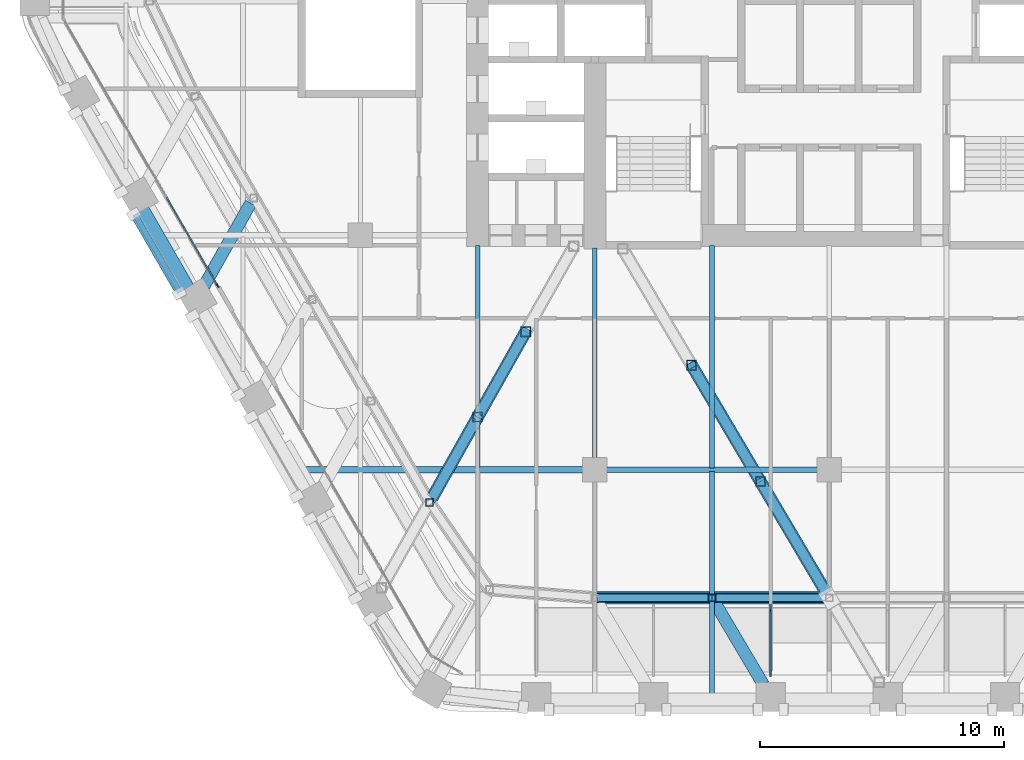
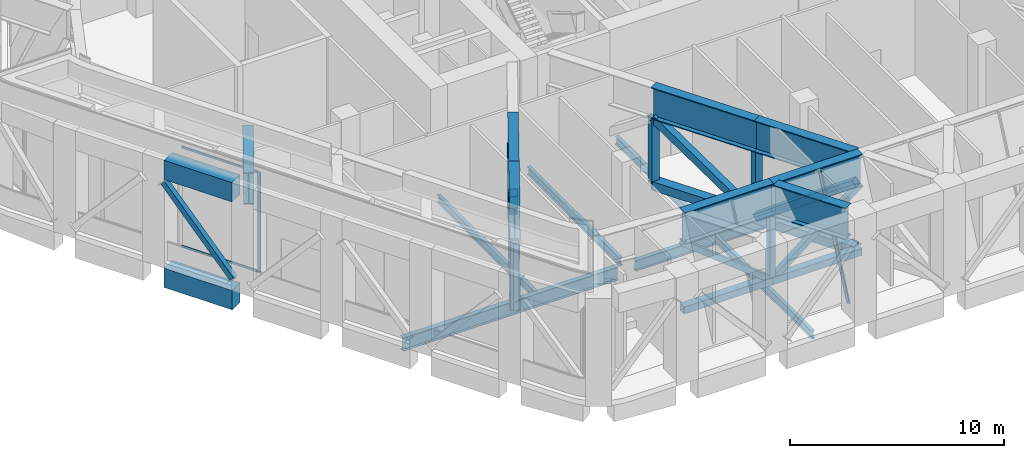
# One storey, part 3 of 27: 23 members, 16 beams, 2 elements without a shape of their own.
"""IFC4 building model written with IfcOpenShell, lengths in metres."""

from ifc_helpers import new_model, si_unit, direction, frame, origin, origin_2d, place, context, subcontext, project, spatial, rectangle, hollow_rectangle, i_section, extrude, material, material_profile, profile_set, type_object, element, aggregate, save


model = new_model("IFC4")

# Units and contexts
model_context = context("Model", 3, precision=1e-05, world=origin(), true_north=direction((0.0, 1.0)))
body_context = subcontext(model_context, "Body", "Model", "MODEL_VIEW")
ifc_project = project(units=[si_unit("LENGTHUNIT", "METRE"), si_unit("AREAUNIT", "SQUARE_METRE"), si_unit("VOLUMEUNIT", "CUBIC_METRE"), si_unit("PLANEANGLEUNIT", "RADIAN"), si_unit("MASSUNIT", "GRAM", prefix="KILO")], contexts=[model_context])

# Site, building, storey
site_placement = place(None, origin())
site = spatial("IfcSite", under=ifc_project, at=site_placement, CompositionType="ELEMENT")
building_placement = place(site_placement, origin())
building = spatial("IfcBuilding", under=site, at=building_placement, Name="Kolab Exchange Tower", CompositionType="ELEMENT")
storey_placement = place(building_placement, frame((0.0, 0.0, 127.39990234375)))
storey = spatial("IfcBuildingStorey", under=building, at=storey_placement, Name="L25", CompositionType="ELEMENT", Elevation=127.39990234375)

# Members
ifc_material_1 = material(Name="Steel S355", Category="steel")
ifc_material_profile_1 = material_profile(ifc_material_1, hollow_rectangle(XDim=0.300048828125, YDim=0.300048828125, WallThickness=0.01611328125, at=origin_2d()), Name="HSS300X300X16")
ifc_profile_set_1 = profile_set([ifc_material_profile_1], Name="Steel S355")
member_type_1 = type_object("IfcMemberType", Name="BELT TRUSS BRACE HSS300X300X16", PredefinedType="BRACE", material=ifc_profile_set_1)
for number, where, z_axis, x_axis, name in (
    (1, (0.0, -24.44140625, 4.050048828125), (-0.784045015832, 0.0, -0.620703965791), (0.0, -1.0, 0.0), "mem/L25/ring/d-F4-04"),
    (2, (-4.800048828125, -24.44140625, 0.25), (-0.784045015832, 0.0, 0.620703965791), (0.0, -1.0, 0.0), "mem/L25/ring/d-F4-05"),
):
    element("IfcMember", number, at=place(storey_placement, frame(where, z_axis=z_axis, x_axis=x_axis)), inside=storey, type_object=member_type_1, Name=name, PredefinedType="BRACE", context=body_context, shape_type="SweptSolid", body=[
        extrude(hollow_rectangle(XDim=0.300048828125, YDim=0.300048828125, WallThickness=0.01611328125, at=origin_2d()), origin(), (0.0, 0.0, 1.0), 6.1220703125),
    ])
member_1_placement = place(storey_placement, frame((-26.606689453125, -11.968994140625, 0.400146484375), z_axis=(-0.33175876964, 0.574575918421, 0.748196921096), x_axis=(-0.866007645851, -0.500030756381, 0.0)))
element("IfcMember", 3, at=member_1_placement, inside=storey, type_object=member_type_1, Name="mem/L25/fb/F5-05", PredefinedType="BRACE", context=body_context, shape_type="SweptSolid", body=[
    extrude(hollow_rectangle(XDim=0.300048828125, YDim=0.300048828125, WallThickness=0.01611328125, at=origin_2d()), origin(), (0.0, 0.0, 1.0), 5.613525390625),
])
ifc_material_profile_2 = material_profile(ifc_material_1, hollow_rectangle(XDim=0.39990234375, YDim=0.39990234375, WallThickness=0.02001953125, at=origin_2d()), Name="HSS400X400X20")
ifc_profile_set_2 = profile_set([ifc_material_profile_2], Name="Steel S355")
member_type_2 = type_object("IfcMemberType", Name="BELT TRUSS CHORD HSS400X400X20", PredefinedType="CHORD", material=ifc_profile_set_2)
for number, where, z_axis, x_axis, name in (
    (4, (0.0, -24.44140625, 0.25), (-1.0, 0.0, 0.0), (0.0, -1.0, 0.0), "mem/L25/ring/c-F4-04"),
    (5, (-4.800048828125, -24.44140625, 0.25), (-1.0, 0.0, 0.0), (0.0, -1.0, 0.0), "mem/L25/ring/c-F4-05"),
):
    element("IfcMember", number, at=place(storey_placement, frame(where, z_axis=z_axis, x_axis=x_axis)), inside=storey, type_object=member_type_2, Name=name, PredefinedType="CHORD", context=body_context, shape_type="SweptSolid", body=[
        extrude(hollow_rectangle(XDim=0.39990234375, YDim=0.39990234375, WallThickness=0.02001953125, at=origin_2d()), origin(), (0.0, 0.0, 1.0), 4.800048828125),
    ])

# Beams
ifc_material_profile_3 = material_profile(ifc_material_1, i_section(OverallWidth=0.5, OverallDepth=1.800048828125, WebThickness=0.031982421875, FlangeThickness=0.050048828125, at=origin_2d()), Name="PG1800X500")
ifc_profile_set_3 = profile_set([ifc_material_profile_3], Name="Steel S355")
beam_type_1 = type_object("IfcBeamType", Name="BELT TRUSS GIRDER PG1800X500", PredefinedType="BEAM", material=ifc_profile_set_3)
for number, where, z_axis, x_axis, name in (
    (6, (0.0, -24.44140625, 4.9501953125), (-1.0, 0.0, 0.0), (0.0, -1.0, 0.0), "beam/L25/bg/F4-run2"),
    (7, (-4.800048828125, -24.44140625, 4.9501953125), (-1.0, 0.0, 0.0), (0.0, -1.0, 0.0), "beam/L25/bg/F4-run3"),
):
    element("IfcBeam", number, at=place(storey_placement, frame(where, z_axis=z_axis, x_axis=x_axis)), inside=storey, type_object=beam_type_1, Name=name, PredefinedType="BEAM", context=body_context, shape_type="SweptSolid", body=[
        extrude(i_section(OverallWidth=0.5, OverallDepth=1.800048828125, WebThickness=0.031982421875, FlangeThickness=0.050048828125, at=origin_2d()), origin(), (0.0, 0.0, 1.0), 4.800048828125),
    ])

# Members
ifc_material_profile_4 = material_profile(ifc_material_1, hollow_rectangle(XDim=0.300048828125, YDim=0.300048828125, WallThickness=0.01611328125, at=origin_2d()), Name="HSS300X300X16")
ifc_profile_set_4 = profile_set([ifc_material_profile_4], Name="Steel S355")
member_type_3 = type_object("IfcMemberType", Name="BELT TRUSS POST HSS300X300X16", PredefinedType="POST", material=ifc_profile_set_4)
for number, where, z_axis, x_axis, name in (
    (8, (-4.800048828125, -24.44140625, 0.25), (0.0, 0.0, 1.0), (1.0, 0.0, 0.0), "mem/L25/ring/p-F4-05"),
    (9, (-16.366943359375, -20.53466796875, 0.25), (0.0, 0.0, 1.0), (1.0, 0.0, 0.0), "mem/L25/ring/p-F5-02"),
):
    element("IfcMember", number, at=place(storey_placement, frame(where, z_axis=z_axis, x_axis=x_axis)), inside=storey, type_object=member_type_3, Name=name, PredefinedType="POST", context=body_context, shape_type="SweptSolid", body=[
        extrude(hollow_rectangle(XDim=0.300048828125, YDim=0.300048828125, WallThickness=0.01611328125, at=origin_2d()), origin(), (0.0, 0.0, 1.0), 3.800048828125),
    ])

# Curtain wall, member
ifc_material_2 = material(Name="Aluminium EN AW-6063 T6", Category="aluminium")
curtain_wall_type_1 = type_object("IfcCurtainWallType", Name="CANTED BAND CURTAIN WALL", PredefinedType="NOTDEFINED", material=ifc_material_2)
curtain_wall_1_placement = place(storey_placement, origin())
curtain_wall_1 = element("IfcCurtainWall", 10, at=curtain_wall_1_placement, inside=storey, type_object=curtain_wall_type_1, Name="band/L25/F4", PredefinedType="NOTDEFINED")
ifc_material_profile_5 = material_profile(ifc_material_2, rectangle(XDim=0.06005859375, YDim=0.300048828125, at=origin_2d()), Name="RECT 60X300")
ifc_profile_set_5 = profile_set([ifc_material_profile_5], Name="Aluminium EN AW-6063 T6")
member_type_4 = type_object("IfcMemberType", Name="CANTED BAND MULLION 60 X 300", PredefinedType="MULLION", material=ifc_profile_set_5)
member_2_placement = place(storey_placement, frame((-2.39990234375, -27.5185546875, -0.099853515625), z_axis=(0.0, 0.410878778787, 0.911689985216), x_axis=(-1.0, 0.0, 0.0)))
member_2 = element("IfcMember", 11, at=member_2_placement, type_object=member_type_4, Name="Band mullion", PredefinedType="MULLION", context=body_context, shape_type="SweptSolid", body=[
    extrude(rectangle(XDim=0.06005859375, YDim=0.300048828125, at=origin_2d()), origin(), (0.0, 0.0, 1.0), 6.515380859375),
])
aggregate(curtain_wall_1, [member_2])

# Beams
ifc_material_profile_6 = material_profile(ifc_material_1, i_section(OverallWidth=0.18994140625, OverallDepth=0.45703125, WebThickness=0.009033203125, FlangeThickness=0.014404296875, at=origin_2d()), Name="W460X74")
ifc_profile_set_6 = profile_set([ifc_material_profile_6], Name="Steel S355")
beam_type_2 = type_object("IfcBeamType", Name="FLOOR BEAM W460X74", PredefinedType="BEAM", material=ifc_profile_set_6)
beam_1_placement = place(storey_placement, frame((-14.39990234375, -19.1064453125, -0.5283203125), z_axis=(0.0, 1.0, 0.0), x_axis=(-1.0, 0.0, 0.0)))
element("IfcBeam", 12, at=beam_1_placement, inside=storey, type_object=beam_type_2, Name="beam/L25/fr/013", PredefinedType="BEAM", context=body_context, shape_type="SweptSolid", body=[
    extrude(i_section(OverallWidth=0.18994140625, OverallDepth=0.45703125, WebThickness=0.009033203125, FlangeThickness=0.014404296875, at=origin_2d()), origin(), (0.0, 0.0, 1.0), 9.096435546875),
])
beam_2_placement = place(storey_placement, frame((-9.60009765625, -18.739990234375, -0.5283203125), z_axis=(0.0, 1.0, 0.0), x_axis=(-1.0, 0.0, 0.0)))
element("IfcBeam", 13, at=beam_2_placement, inside=storey, type_object=beam_type_2, Name="beam/L25/fr/017", PredefinedType="BEAM", context=body_context, shape_type="SweptSolid", body=[
    extrude(i_section(OverallWidth=0.18994140625, OverallDepth=0.45703125, WebThickness=0.009033203125, FlangeThickness=0.014404296875, at=origin_2d()), origin(), (0.0, 0.0, 1.0), 8.6298828125),
])
beam_3_placement = place(storey_placement, frame((-4.800048828125, -28.388427734375, -0.5283203125), z_axis=(0.0, 1.0, 0.0), x_axis=(-1.0, 0.0, 0.0)))
element("IfcBeam", 14, at=beam_3_placement, inside=storey, type_object=beam_type_2, Name="beam/L25/fr/020", PredefinedType="BEAM", context=body_context, shape_type="SweptSolid", body=[
    extrude(i_section(OverallWidth=0.18994140625, OverallDepth=0.45703125, WebThickness=0.009033203125, FlangeThickness=0.014404296875, at=origin_2d()), origin(), (0.0, 0.0, 1.0), 9.114501953125),
])
beam_4_placement = place(storey_placement, frame((-4.800048828125, -19.1259765625, -0.5283203125), z_axis=(0.0, 1.0, 0.0), x_axis=(-1.0, 0.0, 0.0)))
element("IfcBeam", 15, at=beam_4_placement, inside=storey, type_object=beam_type_2, Name="beam/L25/fr/021", PredefinedType="BEAM", context=body_context, shape_type="SweptSolid", body=[
    extrude(i_section(OverallWidth=0.18994140625, OverallDepth=0.45703125, WebThickness=0.009033203125, FlangeThickness=0.014404296875, at=origin_2d()), origin(), (0.0, 0.0, 1.0), 9.115966796875),
])
ifc_material_profile_7 = material_profile(ifc_material_1, i_section(OverallWidth=0.22802734375, OverallDepth=0.60791015625, WebThickness=0.01123046875, FlangeThickness=0.017333984375, at=origin_2d()), Name="W610X113")
ifc_profile_set_7 = profile_set([ifc_material_profile_7], Name="Steel S355")
beam_type_3 = type_object("IfcBeamType", Name="FLOOR GIRDER W610X113", PredefinedType="BEAM", material=ifc_profile_set_7)
beam_5_placement = place(storey_placement, frame((-9.139892578125, -19.199951171875, -0.60400390625), z_axis=(1.0, 0.0, 0.0), x_axis=(0.0, 1.0, 0.0)))
element("IfcBeam", 16, at=beam_5_placement, inside=storey, type_object=beam_type_3, Name="beam/L25/gd/008", PredefinedType="BEAM", context=body_context, shape_type="SweptSolid", body=[
    extrude(i_section(OverallWidth=0.22802734375, OverallDepth=0.60791015625, WebThickness=0.01123046875, FlangeThickness=0.017333984375, at=origin_2d()), origin(), (0.0, 0.0, 1.0), 8.679931640625),
])
ifc_material_profile_8 = material_profile(ifc_material_1, i_section(OverallWidth=0.26708984375, OverallDepth=0.761962890625, WebThickness=0.014404296875, FlangeThickness=0.021484375, at=origin_2d()), Name="W760X173")
ifc_profile_set_8 = profile_set([ifc_material_profile_8], Name="Steel S355")
beam_type_4 = type_object("IfcBeamType", Name="FLOOR GIRDER W760X173", PredefinedType="BEAM", material=ifc_profile_set_8)
beam_6_placement = place(storey_placement, frame((-21.688720703125, -19.199951171875, -0.680908203125), z_axis=(1.0, 0.0, 0.0), x_axis=(0.0, 1.0, 0.0)))
element("IfcBeam", 17, at=beam_6_placement, inside=storey, type_object=beam_type_4, Name="beam/L25/gd/003", PredefinedType="BEAM", context=body_context, shape_type="SweptSolid", body=[
    extrude(i_section(OverallWidth=0.26708984375, OverallDepth=0.761962890625, WebThickness=0.014404296875, FlangeThickness=0.021484375, at=origin_2d()), origin(), (0.0, 0.0, 1.0), 11.628662109375),
])

# Members
ifc_material_profile_9 = material_profile(ifc_material_1, hollow_rectangle(XDim=0.39990234375, YDim=0.39990234375, WallThickness=0.02001953125, at=origin_2d()), Name="HSS400X400X20")
ifc_profile_set_9 = profile_set([ifc_material_profile_9], Name="Steel S355")
member_type_5 = type_object("IfcMemberType", Name="OUTRIGGER BRACE HSS400X400X20", PredefinedType="BRACE", material=ifc_profile_set_9)
member_3_placement = place(storey_placement, frame((-5.636474609375, -14.913818359375, 4.050048828125), z_axis=(0.419770625373, -0.709544716987, -0.565984908518), x_axis=(0.86066386425, 0.509173558597, 0.0)))
element("IfcMember", 18, at=member_3_placement, inside=storey, type_object=member_type_5, Name="mem/L25/out/03/d01", PredefinedType="BRACE", context=body_context, shape_type="SweptSolid", body=[
    extrude(hollow_rectangle(XDim=0.39990234375, YDim=0.39990234375, WallThickness=0.02001953125, at=origin_2d()), origin(), (0.0, 0.0, 1.0), 6.714111328125),
])
member_4_placement = place(storey_placement, frame((-2.818115234375, -19.677734375, 0.25), z_axis=(0.414441201062, -0.700575436861, 0.580889445703), x_axis=(0.860676326278, 0.509152493252, 0.0)))
element("IfcMember", 19, at=member_4_placement, inside=storey, type_object=member_type_5, Name="mem/L25/out/03/d02", PredefinedType="BRACE", context=body_context, shape_type="SweptSolid", body=[
    extrude(hollow_rectangle(XDim=0.39990234375, YDim=0.39990234375, WallThickness=0.02001953125, at=origin_2d()), origin(), (0.0, 0.0, 1.0), 6.541748046875),
])
member_5_placement = place(storey_placement, frame((-12.4296875, -13.544921875, 0.25), z_axis=(-0.356306477302, -0.632505855975, 0.687736894743), x_axis=(0.871268156325, -0.49080729393, 0.0)))
element("IfcMember", 20, at=member_5_placement, inside=storey, type_object=member_type_5, Name="mem/L25/out/04/d01", PredefinedType="BRACE", context=body_context, shape_type="SweptSolid", body=[
    extrude(hollow_rectangle(XDim=0.39990234375, YDim=0.39990234375, WallThickness=0.02001953125, at=origin_2d()), origin(), (0.0, 0.0, 1.0), 5.525390625),
])
member_6_placement = place(storey_placement, frame((-14.3984375, -17.039794921875, 4.050048828125), z_axis=(-0.347080423166, -0.616168818251, -0.707015676821), x_axis=(0.871282057065, -0.490782616884, 0.0)))
element("IfcMember", 21, at=member_6_placement, inside=storey, type_object=member_type_5, Name="mem/L25/out/04/d02", PredefinedType="BRACE", context=body_context, shape_type="SweptSolid", body=[
    extrude(hollow_rectangle(XDim=0.39990234375, YDim=0.39990234375, WallThickness=0.02001953125, at=origin_2d()), origin(), (0.0, 0.0, 1.0), 5.374755859375),
])
ifc_material_profile_10 = material_profile(ifc_material_1, hollow_rectangle(XDim=0.5, YDim=0.5, WallThickness=0.02490234375, at=origin_2d()), Name="HSS500X500X25")
ifc_profile_set_10 = profile_set([ifc_material_profile_10], Name="Steel S355")
member_type_6 = type_object("IfcMemberType", Name="OUTRIGGER CHORD HSS500X500X25", PredefinedType="CHORD", material=ifc_profile_set_10)
member_7_placement = place(storey_placement, frame((-5.636474609375, -14.913818359375, 0.25), z_axis=(0.509173558597, -0.86066386425, 0.0), x_axis=(0.86066386425, 0.509173558597, 0.0)))
element("IfcMember", 22, at=member_7_placement, inside=storey, type_object=member_type_6, Name="mem/L25/out/03/c01", PredefinedType="CHORD", context=body_context, shape_type="SweptSolid", body=[
    extrude(hollow_rectangle(XDim=0.5, YDim=0.5, WallThickness=0.02490234375, at=origin_2d()), origin(), (0.0, 0.0, 1.0), 5.53515625),
])
member_8_placement = place(storey_placement, frame((-2.818115234375, -19.677734375, 0.25), z_axis=(0.509152493252, -0.860676326278, 0.0), x_axis=(0.860676326278, 0.509152493252, 0.0)))
element("IfcMember", 23, at=member_8_placement, inside=storey, type_object=member_type_6, Name="mem/L25/out/03/c02", PredefinedType="CHORD", context=body_context, shape_type="SweptSolid", body=[
    extrude(hollow_rectangle(XDim=0.5, YDim=0.5, WallThickness=0.02490234375, at=origin_2d()), origin(), (0.0, 0.0, 1.0), 5.324951171875),
])
member_9_placement = place(storey_placement, frame((-12.4296875, -13.544921875, 0.25), z_axis=(-0.49080729393, -0.871268156325, 0.0), x_axis=(0.871268156325, -0.49080729393, 0.0)))
element("IfcMember", 24, at=member_9_placement, inside=storey, type_object=member_type_6, Name="mem/L25/out/04/c01", PredefinedType="CHORD", context=body_context, shape_type="SweptSolid", body=[
    extrude(hollow_rectangle(XDim=0.5, YDim=0.5, WallThickness=0.02490234375, at=origin_2d()), origin(), (0.0, 0.0, 1.0), 4.01123046875),
])
member_10_placement = place(storey_placement, frame((-14.3984375, -17.039794921875, 0.25), z_axis=(-0.490782616884, -0.871282057065, 0.0), x_axis=(0.871282057065, -0.490782616884, 0.0)))
element("IfcMember", 25, at=member_10_placement, inside=storey, type_object=member_type_6, Name="mem/L25/out/04/c02", PredefinedType="CHORD", context=body_context, shape_type="SweptSolid", body=[
    extrude(hollow_rectangle(XDim=0.5, YDim=0.5, WallThickness=0.02490234375, at=origin_2d()), origin(), (0.0, 0.0, 1.0), 3.801025390625),
])

# Beams
ifc_material_profile_11 = material_profile(ifc_material_1, i_section(OverallWidth=0.5, OverallDepth=1.800048828125, WebThickness=0.031982421875, FlangeThickness=0.050048828125, at=origin_2d()), Name="PG1800X500")
ifc_profile_set_11 = profile_set([ifc_material_profile_11], Name="Steel S355")
beam_type_5 = type_object("IfcBeamType", Name="OUTRIGGER GIRDER PG1800X500", PredefinedType="BEAM", material=ifc_profile_set_11)
beam_7_placement = place(storey_placement, frame((-5.636474609375, -14.913818359375, 4.9501953125), z_axis=(0.509173558597, -0.86066386425, 0.0), x_axis=(0.86066386425, 0.509173558597, 0.0)))
element("IfcBeam", 26, at=beam_7_placement, inside=storey, type_object=beam_type_5, Name="beam/L25/og/03-01", PredefinedType="BEAM", context=body_context, shape_type="SweptSolid", body=[
    extrude(i_section(OverallWidth=0.5, OverallDepth=1.800048828125, WebThickness=0.031982421875, FlangeThickness=0.050048828125, at=origin_2d()), origin(), (0.0, 0.0, 1.0), 5.53515625),
])
beam_8_placement = place(storey_placement, frame((-2.818115234375, -19.677734375, 4.9501953125), z_axis=(0.509152493252, -0.860676326278, 0.0), x_axis=(0.860676326278, 0.509152493252, 0.0)))
element("IfcBeam", 27, at=beam_8_placement, inside=storey, type_object=beam_type_5, Name="beam/L25/og/03-02", PredefinedType="BEAM", context=body_context, shape_type="SweptSolid", body=[
    extrude(i_section(OverallWidth=0.5, OverallDepth=1.800048828125, WebThickness=0.031982421875, FlangeThickness=0.050048828125, at=origin_2d()), origin(), (0.0, 0.0, 1.0), 5.324951171875),
])
beam_9_placement = place(storey_placement, frame((-12.4296875, -13.544921875, 4.9501953125), z_axis=(-0.49080729393, -0.871268156325, 0.0), x_axis=(0.871268156325, -0.49080729393, 0.0)))
element("IfcBeam", 28, at=beam_9_placement, inside=storey, type_object=beam_type_5, Name="beam/L25/og/04-01", PredefinedType="BEAM", context=body_context, shape_type="SweptSolid", body=[
    extrude(i_section(OverallWidth=0.5, OverallDepth=1.800048828125, WebThickness=0.031982421875, FlangeThickness=0.050048828125, at=origin_2d()), origin(), (0.0, 0.0, 1.0), 4.01123046875),
])
beam_10_placement = place(storey_placement, frame((-14.3984375, -17.039794921875, 4.9501953125), z_axis=(-0.490782616884, -0.871282057065, 0.0), x_axis=(0.871282057065, -0.490782616884, 0.0)))
element("IfcBeam", 29, at=beam_10_placement, inside=storey, type_object=beam_type_5, Name="beam/L25/og/04-02", PredefinedType="BEAM", context=body_context, shape_type="SweptSolid", body=[
    extrude(i_section(OverallWidth=0.5, OverallDepth=1.800048828125, WebThickness=0.031982421875, FlangeThickness=0.050048828125, at=origin_2d()), origin(), (0.0, 0.0, 1.0), 3.801025390625),
])

# Members
ifc_material_profile_12 = material_profile(ifc_material_1, hollow_rectangle(XDim=0.39990234375, YDim=0.39990234375, WallThickness=0.02001953125, at=origin_2d()), Name="HSS400X400X20")
ifc_profile_set_12 = profile_set([ifc_material_profile_12], Name="Steel S355")
member_type_7 = type_object("IfcMemberType", Name="OUTRIGGER POST HSS400X400X20", PredefinedType="POST", material=ifc_profile_set_12)
for number, where, z_axis, x_axis, name in (
    (30, (-5.636474609375, -14.913818359375, 0.25), (0.0, 0.0, 1.0), (1.0, 0.0, 0.0), "mem/L25/out/03/p01"),
    (31, (-2.818115234375, -19.677734375, 0.25), (0.0, 0.0, 1.0), (1.0, 0.0, 0.0), "mem/L25/out/03/p02"),
    (32, (-12.4296875, -13.544921875, 0.25), (0.0, 0.0, 1.0), (1.0, 0.0, 0.0), "mem/L25/out/04/p01"),
    (33, (-14.3984375, -17.039794921875, 0.25), (0.0, 0.0, 1.0), (1.0, 0.0, 0.0), "mem/L25/out/04/p02"),
):
    element("IfcMember", number, at=place(storey_placement, frame(where, z_axis=z_axis, x_axis=x_axis)), inside=storey, type_object=member_type_7, Name=name, PredefinedType="POST", context=body_context, shape_type="SweptSolid", body=[
        extrude(hollow_rectangle(XDim=0.39990234375, YDim=0.39990234375, WallThickness=0.02001953125, at=origin_2d()), origin(), (0.0, 0.0, 1.0), 3.800048828125),
    ])

# Beams
ifc_material_3 = material(Name="Concrete C70/85", Category="concrete")
ifc_material_profile_13 = material_profile(ifc_material_3, rectangle(XDim=0.75, YDim=1.10009765625, at=origin_2d()), Name="RC750X1100")
ifc_profile_set_13 = profile_set([ifc_material_profile_13], Name="Concrete C70/85")
beam_type_6 = type_object("IfcBeamType", Name="SPANDREL BEAM 750X1100 C70/85", PredefinedType="BEAM", material=ifc_profile_set_13)
for number, where, z_axis, x_axis, name in (
    (34, (-26.355224609375, -11.79833984375, -0.849853515625), (-0.500013413428, 0.866017659399, 0.0), (-0.866017659399, -0.500013413428, 0.0), "beam/L25/sp/F5-05"),
    (35, (-26.355224609375, -11.79833984375, 5.300048828125), (-0.500013413428, 0.866017659399, 0.0), (-0.866017659399, -0.500013413428, 0.0), "beam/L25/cp/F5-05"),
):
    element("IfcBeam", number, at=place(storey_placement, frame(where, z_axis=z_axis, x_axis=x_axis)), inside=storey, type_object=beam_type_6, Name=name, PredefinedType="BEAM", context=body_context, shape_type="SweptSolid", body=[
        extrude(rectangle(XDim=0.75, YDim=1.10009765625, at=origin_2d()), origin(), (0.0, 0.0, 1.0), 3.68017578125),
    ])
ifc_material_profile_14 = material_profile(ifc_material_1, i_section(OverallWidth=0.5, OverallDepth=1.800048828125, WebThickness=0.031982421875, FlangeThickness=0.050048828125, at=origin_2d()), Name="PG1800X500")
ifc_profile_set_14 = profile_set([ifc_material_profile_14], Name="Steel S355")
beam_type_7 = type_object("IfcBeamType", Name="TRANSFER GIRDER PG1800X500", PredefinedType="BEAM", material=ifc_profile_set_14)
for number, where, z_axis, x_axis, name in (
    (36, (-4.672607421875, -24.65673828125, 4.9501953125), (0.509142255304, -0.860682382685, 0.0), (0.860682382685, 0.509142255304, 0.0), "beam/L25/tg/F4-05"),
    (37, (-23.689697265625, -8.28173828125, 4.9501953125), (-0.490801389835, -0.871271482224, 0.0), (0.871271482224, -0.490801389835, 0.0), "beam/L25/tg/F5-05"),
):
    element("IfcBeam", number, at=place(storey_placement, frame(where, z_axis=z_axis, x_axis=x_axis)), inside=storey, type_object=beam_type_7, Name=name, PredefinedType="BEAM", context=body_context, shape_type="SweptSolid", body=[
        extrude(i_section(OverallWidth=0.5, OverallDepth=1.800048828125, WebThickness=0.031982421875, FlangeThickness=0.050048828125, at=origin_2d()), origin(), (0.0, 0.0, 1.0), 3.883544921875),
    ])

# Curtain wall, members
curtain_wall_type_2 = type_object("IfcCurtainWallType", Name="UNITISED LOWER MID ZONE BELT CURTAIN WALL", PredefinedType="NOTDEFINED", material=ifc_material_2)
curtain_wall_2_placement = place(storey_placement, origin())
curtain_wall_2 = element("IfcCurtainWall", 38, at=curtain_wall_2_placement, inside=storey, type_object=curtain_wall_type_2, Name="cw/L25/F5-2", PredefinedType="NOTDEFINED")
ifc_material_profile_15 = material_profile(ifc_material_2, rectangle(XDim=0.06005859375, YDim=0.179931640625, at=origin_2d()), Name="RECT 60X180")
ifc_profile_set_15 = profile_set([ifc_material_profile_15], Name="Aluminium EN AW-6063 T6")
member_type_8 = type_object("IfcMemberType", Name="UNITISED LOWER MID ZONE BELT MULLION 60 X 180", PredefinedType="MULLION", material=ifc_profile_set_15)
member_11_placement = place(storey_placement, frame((-25.046630859375, -11.65478515625, 0.0), z_axis=(0.0, 0.0, 1.0), x_axis=(-0.866025427826, -0.499999958358, 0.0)))
member_11 = element("IfcMember", 39, at=member_11_placement, type_object=member_type_8, Name="CW10 mullion 1", PredefinedType="MULLION", context=body_context, shape_type="SweptSolid", body=[
    extrude(rectangle(XDim=0.06005859375, YDim=0.179931640625, at=origin_2d()), origin(), (0.0, 0.0, 1.0), 5.7001953125),
])
ifc_material_profile_16 = material_profile(ifc_material_2, rectangle(XDim=0.06005859375, YDim=0.1201171875, at=origin_2d()), Name="RECT 60X120")
ifc_profile_set_16 = profile_set([ifc_material_profile_16], Name="Aluminium EN AW-6063 T6")
member_type_9 = type_object("IfcMemberType", Name="UNITISED LOWER MID ZONE BELT TRANSOM 60 X 120", PredefinedType="USERDEFINED", material=ifc_profile_set_16)
member_12_placement = place(storey_placement, frame((-25.061767578125, -11.62890625, 0.030029296875), z_axis=(-0.499957688808, 0.866049830784, 0.0), x_axis=(-0.866049830784, -0.499957688808, 0.0)))
member_12 = element("IfcMember", 40, at=member_12_placement, type_object=member_type_9, Name="CW10 transom 1.1", ObjectType="TRANSOM", PredefinedType="USERDEFINED", context=body_context, shape_type="SweptSolid", body=[
    extrude(rectangle(XDim=0.06005859375, YDim=0.1201171875, at=origin_2d()), origin(), (0.0, 0.0, 1.0), 4.132568359375),
])
member_13_placement = place(storey_placement, frame((-25.061767578125, -11.62890625, 5.670166015625), z_axis=(-0.499957688808, 0.866049830784, 0.0), x_axis=(-0.866049830784, -0.499957688808, 0.0)))
member_13 = element("IfcMember", 41, at=member_13_placement, type_object=member_type_9, Name="CW10 transom 1.2", ObjectType="TRANSOM", PredefinedType="USERDEFINED", context=body_context, shape_type="SweptSolid", body=[
    extrude(rectangle(XDim=0.06005859375, YDim=0.1201171875, at=origin_2d()), origin(), (0.0, 0.0, 1.0), 4.132568359375),
])
aggregate(curtain_wall_2, [member_11, member_12, member_13])

save(model, "model.ifc")
